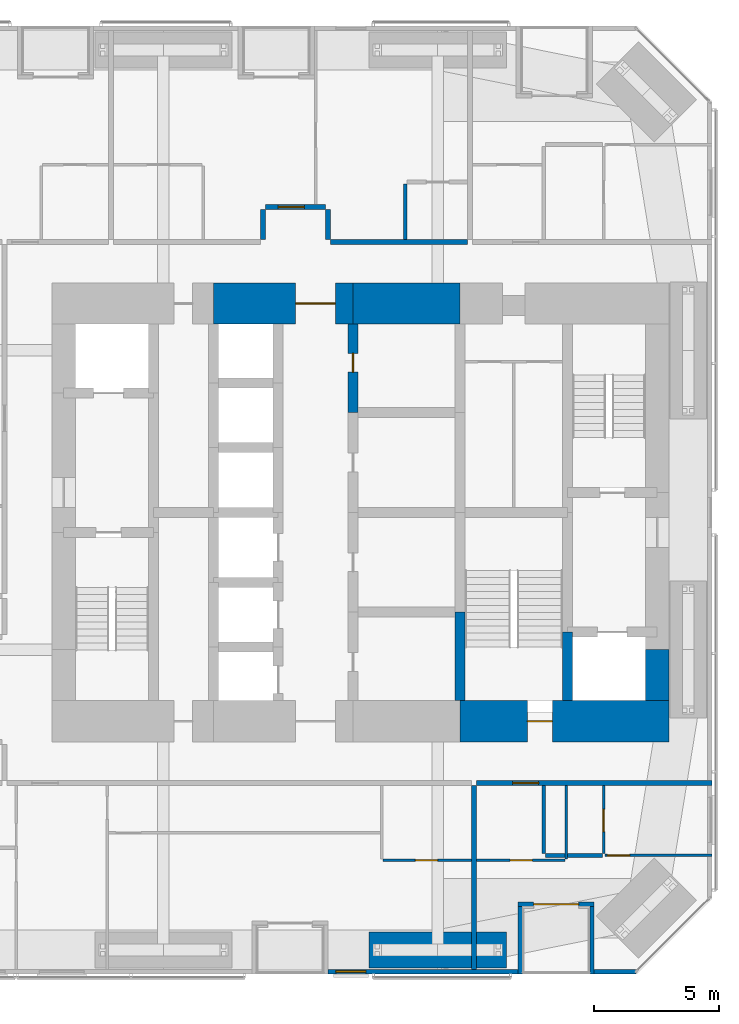
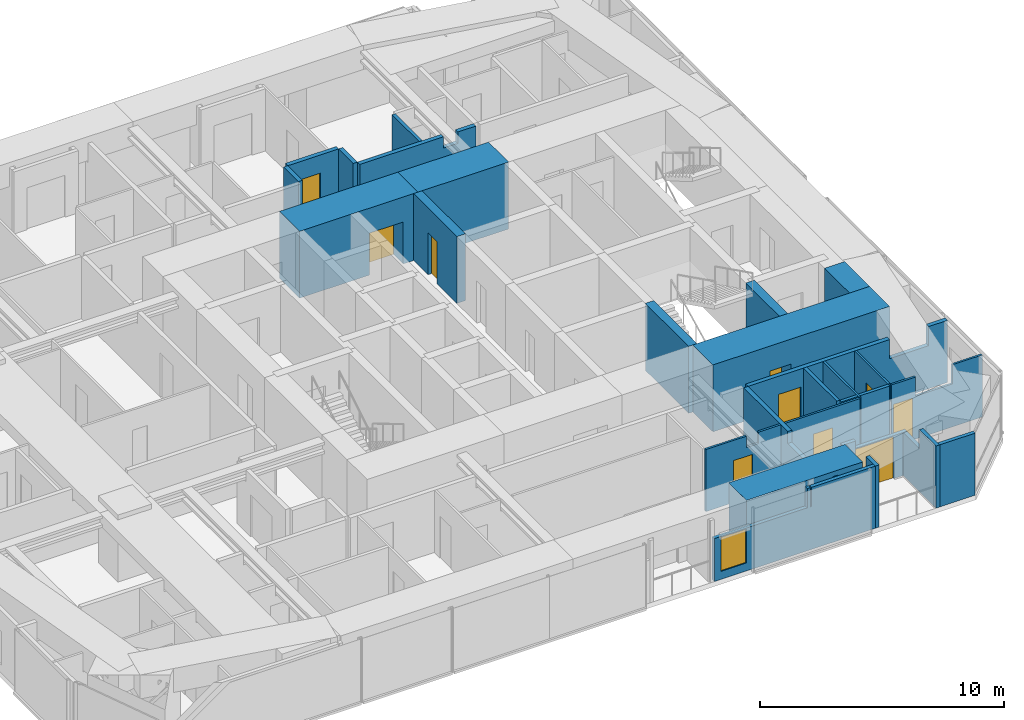
# One storey, part 20 of 24: 28 walls, 10 doors, 1 window, 11 openings.
"""IFC4 building model written with IfcOpenShell, lengths in metres."""

import ifcopenshell
import ifcopenshell.guid

model = None  # the IFC model being written
_history = None  # IfcOwnerHistory: only IFC2X3 demands one
_inside = {}  # id of a spatial element -> (the spatial element, [elements in it])
_under = {}  # id of a project, library or spatial element -> (it, [spatial elements below it])
_declared = {}  # id of a project -> (the project, [libraries it declares])
_typed = {}  # id of a type object -> (the type object, [elements of that type])
_made_of = {}  # id of a material, layer set ... -> (it, [elements and type objects made of it])


def new_model(schema):
    """Start an empty IFC model of exactly this schema.

    Asked for "IFC4X3", IfcOpenShell would pick the latest addendum, in which some entities
    have other attributes; the version numbers below select the first issue.
    IFC2X3 requires an IfcOwnerHistory on every rooted entity: one is made here for all.
    """
    global model, _history
    if schema == "IFC4X3":
        model = ifcopenshell.file(schema_version=(4, 3, 0, 0))
    else:
        model = ifcopenshell.file(schema=schema)
    _inside.clear()
    _under.clear()
    _declared.clear()
    _typed.clear()
    _made_of.clear()
    _history = None
    if model.schema == "IFC2X3":
        org = make("IfcOrganization", Name="unknown")
        user = make(
            "IfcPersonAndOrganization",
            ThePerson=make("IfcPerson", FamilyName="unknown"),
            TheOrganization=org,
        )
        app = make(
            "IfcApplication",
            ApplicationDeveloper=org,
            Version="unknown",
            ApplicationFullName="unknown",
            ApplicationIdentifier="unknown",
        )
        _history = make(
            "IfcOwnerHistory",
            OwningUser=user,
            OwningApplication=app,
            ChangeAction="ADDED",
            CreationDate=0,
        )
    return model


def make(cls, **values):
    """One entity of the class cls with the attributes given. An attribute that is None is left unset."""
    return model.create_entity(
        cls, **{name: value for name, value in values.items() if value is not None}
    )


def rooted(cls, **values):
    """An entity with a GlobalId (a new one), such as an element, a storey or a relation."""
    return make(cls, GlobalId=ifcopenshell.guid.new(), OwnerHistory=_history, **values)


def si_unit(unit_type, name, prefix=None):
    """IfcSIUnit, for example si_unit("LENGTHUNIT", "METRE", prefix="MILLI")."""
    return make("IfcSIUnit", UnitType=unit_type, Prefix=prefix, Name=name)


def assignment(units):
    """IfcUnitAssignment: the units of a project."""
    return None if units is None else make("IfcUnitAssignment", Units=units)


def point(xyz):
    """IfcCartesianPoint."""
    return None if xyz is None else make("IfcCartesianPoint", Coordinates=xyz)


def direction(xyz):
    """IfcDirection."""
    return None if xyz is None else make("IfcDirection", DirectionRatios=xyz)


def frame(location, z_axis=None, x_axis=None):
    """IfcAxis2Placement3D, a coordinate frame: its origin and axes. An axis left out is left unset."""
    return make(
        "IfcAxis2Placement3D",
        Location=point(location),
        Axis=direction(z_axis),
        RefDirection=direction(x_axis),
    )


def frame_2d(location, x_axis=None):
    """IfcAxis2Placement2D, a coordinate frame in the plane: its origin and x axis."""
    return make(
        "IfcAxis2Placement2D", Location=point(location), RefDirection=direction(x_axis)
    )


def origin():
    """The frame at (0, 0, 0) with its axes left unset."""
    return frame((0.0, 0.0, 0.0))


def place(relative_to, where):
    """IfcLocalPlacement: puts the frame where relative to a parent placement (None: the world)."""
    return make(
        "IfcLocalPlacement", PlacementRelTo=relative_to, RelativePlacement=where
    )


def context(
    kind, dimensions, precision=None, world=None, true_north=None, identifier=None
):
    """IfcGeometricRepresentationContext, for example the 3D "Model" context."""
    return make(
        "IfcGeometricRepresentationContext",
        ContextIdentifier=identifier,
        ContextType=kind,
        CoordinateSpaceDimension=dimensions,
        Precision=precision,
        WorldCoordinateSystem=world,
        TrueNorth=true_north,
    )


def subcontext(parent, identifier, kind, view, scale=None):
    """IfcGeometricRepresentationSubContext, for example "Body" below "Model"."""
    return make(
        "IfcGeometricRepresentationSubContext",
        ContextIdentifier=identifier,
        ContextType=kind,
        ParentContext=parent,
        TargetScale=scale,
        TargetView=view,
    )


def project(units=None, contexts=None):
    """IfcProject with its units and contexts."""
    return rooted(
        "IfcProject",
        Name="project",
        RepresentationContexts=contexts,
        UnitsInContext=assignment(units),
    )


def spatial(cls, under=None, at=None, **own):
    """A site, building, storey or space (cls), placed at a placement, below another one or the project."""
    s = rooted(cls, ObjectPlacement=at, **own)
    if under is not None:
        _under.setdefault(under.id(), (under, []))[1].append(s)
    return s


def polyline(points):
    """IfcPolyline through the points."""
    return make("IfcPolyline", Points=[point(p) for p in points])


def profile(cls, at=None, kind="AREA", **sizes):
    """A parametric profile (cls). Its sizes go by their IFC names, for example OverallWidth=200.0."""
    return make(cls, ProfileType=kind, Position=at, **sizes)


def rectangle(**sizes):
    """IfcRectangleProfileDef."""
    return profile("IfcRectangleProfileDef", **sizes)


def outline(outer, holes=None, kind="AREA"):
    """IfcArbitraryClosedProfileDef: a profile drawn as a closed curve; with holes, ...WithVoids."""
    if holes is None:
        return make("IfcArbitraryClosedProfileDef", ProfileType=kind, OuterCurve=outer)
    return make(
        "IfcArbitraryProfileDefWithVoids",
        ProfileType=kind,
        OuterCurve=outer,
        InnerCurves=holes,
    )


def extrude(swept, where, along, depth):
    """IfcExtrudedAreaSolid: the profile swept, set in the frame where, extruded along a direction by depth."""
    return make(
        "IfcExtrudedAreaSolid",
        SweptArea=swept,
        Position=where,
        ExtrudedDirection=direction(along),
        Depth=depth,
    )


def shape(context_of_items, identifier, shape_type, items):
    """IfcShapeRepresentation: the items that make up one representation, for example the "Body"."""
    return make(
        "IfcShapeRepresentation",
        ContextOfItems=context_of_items,
        RepresentationIdentifier=identifier,
        RepresentationType=shape_type,
        Items=items,
    )


def material(Name=None, Category=None):
    """IfcMaterial."""
    return make("IfcMaterial", Name=Name, Category=Category)


def layer(
    of_material, thickness, ventilated=None, Name=None, Category=None, Priority=None
):
    """IfcMaterialLayer: one layer of a wall or slab, of a material (None: an air gap)."""
    return make(
        "IfcMaterialLayer",
        Material=of_material,
        LayerThickness=thickness,
        IsVentilated=ventilated,
        Name=Name,
        Category=Category,
        Priority=Priority,
    )


def layer_set(layers, Name=None):
    """IfcMaterialLayerSet."""
    return make("IfcMaterialLayerSet", MaterialLayers=layers, LayerSetName=Name)


def constituent(of_material, Name=None, Category=None, fraction=None):
    """IfcMaterialConstituent: one of the materials an element consists of."""
    return make(
        "IfcMaterialConstituent",
        Name=Name,
        Material=of_material,
        Fraction=fraction,
        Category=Category,
    )


def constituent_set(constituents=None, Name=None):
    """IfcMaterialConstituentSet."""
    return make(
        "IfcMaterialConstituentSet", Name=Name, MaterialConstituents=constituents
    )


def made_of(thing, what):
    """Note that an element or type object is made of a material, layer set ...; save() writes the relation."""
    if what is not None:
        _made_of.setdefault(what.id(), (what, []))[1].append(thing)
    return thing


def type_object(cls, material=None, **own):
    """A type object (cls), such as IfcWallType, which elements share."""
    return made_of(rooted(cls, **own), material)


def element(
    cls,
    number,
    at=None,
    inside=None,
    cuts=None,
    type_object=None,
    material=None,
    context=None,
    identifier="Body",
    shape_type=None,
    held_by="IfcProductDefinitionShape",
    body=None,
    shapes=None,
    **own,
):
    """One element of the class cls, such as IfcWall. Its Tag is "e" and its number.

    at: its placement. inside: the storey or other place that contains it. cuts: it is an
    opening in that element (IfcRelVoidsElement). A single representation is given by context,
    identifier, shape_type and body (its items); several are given by shapes. held_by: the class
    of the entity that holds the representations. save() writes the other relations.
    """
    e = rooted(cls, Tag="e%d" % number, ObjectPlacement=at, **own)
    if body is not None:
        shapes = [shape(context, identifier, shape_type, body)]
    if shapes is not None:
        e.Representation = make(held_by, Representations=shapes)
    if inside is not None:
        _inside.setdefault(inside.id(), (inside, []))[1].append(e)
    if cuts is not None:
        rooted(
            "IfcRelVoidsElement", RelatingBuildingElement=cuts, RelatedOpeningElement=e
        )
    if type_object is not None:
        _typed.setdefault(type_object.id(), (type_object, []))[1].append(e)
    return made_of(e, material)


def fill(opening, filler):
    """IfcRelFillsElement: the door or window that sits in an opening."""
    return rooted(
        "IfcRelFillsElement",
        RelatingOpeningElement=opening,
        RelatedBuildingElement=filler,
    )


def aggregate(whole, parts):
    """IfcRelAggregates: a whole, such as a stair, and the parts it consists of."""
    return rooted("IfcRelAggregates", RelatingObject=whole, RelatedObjects=parts)


def save(model, path):
    """Write the relations noted so far, then the file.

    IfcRelAggregates (storeys below a building ...), IfcRelContainedInSpatialStructure (elements
    in a storey), IfcRelDefinesByType, IfcRelAssociatesMaterial and IfcRelDeclares: one each for
    every whole, place, type object, material and project.
    """
    for whole, parts in _under.values():
        aggregate(whole, parts)
    for where, things in _inside.values():
        rooted(
            "IfcRelContainedInSpatialStructure",
            RelatedElements=things,
            RelatingStructure=where,
        )
    for kind, things in _typed.values():
        rooted("IfcRelDefinesByType", RelatedObjects=things, RelatingType=kind)
    for what, things in _made_of.values():
        rooted("IfcRelAssociatesMaterial", RelatedObjects=things, RelatingMaterial=what)
    for by, libraries in _declared.values():
        rooted("IfcRelDeclares", RelatingContext=by, RelatedDefinitions=libraries)
    model.write(path)


model = new_model("IFC4")

# Units and contexts
model_context = context("Model", 3, precision=1e-05, world=origin(), true_north=direction((0.0, 1.0)))
body_context = subcontext(model_context, "Body", "Model", "MODEL_VIEW")
ifc_project = project(units=[si_unit("LENGTHUNIT", "METRE"), si_unit("AREAUNIT", "SQUARE_METRE"), si_unit("VOLUMEUNIT", "CUBIC_METRE"), si_unit("PLANEANGLEUNIT", "RADIAN"), si_unit("MASSUNIT", "GRAM", prefix="KILO")], contexts=[model_context])

# Site, building, storey
site_placement = place(None, origin())
site = spatial("IfcSite", under=ifc_project, at=site_placement, CompositionType="ELEMENT")
building_placement = place(site_placement, origin())
building = spatial("IfcBuilding", under=site, at=building_placement, Name="Jalousie Tower", CompositionType="ELEMENT")
storey_placement = place(building_placement, frame((0.0, 0.0, 47.800048828125)))
storey = spatial("IfcBuildingStorey", under=building, at=storey_placement, Name="L12", CompositionType="ELEMENT", Elevation=47.800048828125)

# Walls
ifc_material_1 = material(Name="Concrete block ASTM C90", Category="concrete")
ifc_constituent_1 = constituent(ifc_material_1, Name="Body")
ifc_material_2 = material(Name="Render")
ifc_constituent_2 = constituent(ifc_material_2, Name="Finish")
ifc_constituent_set_1 = constituent_set(constituents=[ifc_constituent_1, ifc_constituent_2])
wall_type_1 = type_object("IfcWallType", Name="BATHROOM WALL 150", PredefinedType="PLUMBINGWALL", material=ifc_constituent_set_1)
wall_1_placement = place(storey_placement, frame((39.324951171875, 4.74658203125, 0.0), z_axis=(0.0, 0.0, 1.0), x_axis=(1.0, 0.0, 0.0)))
element("IfcWall", 1, at=wall_1_placement, inside=storey, type_object=wall_type_1, Name="Bathroom Wall 150 L12", PredefinedType="PLUMBINGWALL", context=body_context, shape_type="SweptSolid", body=[
    extrude(rectangle(XDim=2.275146484375, YDim=0.14990234375, at=frame_2d((1.1376953125, 0.0))), origin(), (0.0, 0.0, 1.0), 3.10986328125),
])
wall_2_placement = place(storey_placement, frame((39.25, 4.82177734375, 0.0), z_axis=(0.0, 0.0, 1.0), x_axis=(0.0, 1.0, 0.0)))
element("IfcWall", 2, at=wall_2_placement, inside=storey, type_object=wall_type_1, Name="Bathroom Wall 150 L12", PredefinedType="PLUMBINGWALL", context=body_context, shape_type="SweptSolid", body=[
    extrude(rectangle(XDim=2.728271484375, YDim=0.14990234375, at=frame_2d((1.3642578125, 0.0))), origin(), (0.0, 0.0, 1.0), 3.10986328125),
])
wall_3_placement = place(storey_placement, frame((33.699951171875, 31.675048828125, 0.0), z_axis=(0.0, 0.0, 1.0), x_axis=(0.0, -1.0, 0.0)))
element("IfcWall", 3, at=wall_3_placement, inside=storey, type_object=wall_type_1, Name="Bathroom Wall 150 L12", PredefinedType="PLUMBINGWALL", context=body_context, shape_type="SweptSolid", body=[
    extrude(rectangle(XDim=2.22509765625, YDim=0.14990234375, at=frame_2d((1.112548828125, 0.0))), origin(), (0.0, 0.0, 1.0), 3.10986328125),
])

# Wall, opening, door
ifc_material_3 = material(Name="Concrete f'c 120 MPa", Category="concrete")
ifc_layer_1 = layer(ifc_material_3, 1.64990234375)
ifc_layer_set_1 = layer_set([ifc_layer_1], Name="Concrete f'c 120 MPa")
wall_type_2 = type_object("IfcWallType", Name="CORE WALL 1650", PredefinedType="SHEAR", material=ifc_layer_set_1)
wall_4_placement = place(storey_placement, frame((35.89990234375, 10.125, 0.0), z_axis=(0.0, 0.0, 1.0), x_axis=(1.0, 0.0, 0.0)))
wall_4 = element("IfcWall", 4, at=wall_4_placement, inside=storey, type_object=wall_type_2, Name="Core wall SD L12", PredefinedType="SHEAR", context=body_context, shape_type="SweptSolid", body=[
    extrude(rectangle(XDim=8.375, YDim=1.64990234375, at=frame_2d((4.1875, 0.0))), origin(), (0.0, 0.0, 1.0), 3.349853515625),
])
opening_1_placement = place(wall_4_placement, frame((2.699951171875, 0.0, 0.0)))
opening_1 = element("IfcOpeningElement", 5, at=opening_1_placement, cuts=wall_4, Name="Opening D10", PredefinedType="OPENING", context=body_context, shape_type="SweptSolid", body=[
    extrude(rectangle(XDim=1.0, YDim=2.10009765625, at=frame_2d((0.5, 1.050048828125))), frame((0.0, 0.8349609375, 0.0), z_axis=(0.0, -1.0, 0.0), x_axis=(1.0, 0.0, 0.0)), (0.0, 0.0, 1.0), 1.669921875),
])
ifc_material_4 = material(Name="Steel fire door", Category="steel")
door_type_1 = type_object("IfcDoorType", Name="STAIR DOOR 1000", OperationType="SINGLE_SWING_LEFT", PredefinedType="DOOR", material=ifc_material_4)
door_1_placement = place(opening_1_placement, origin())
door_1 = element("IfcDoor", 6, at=door_1_placement, inside=storey, type_object=door_type_1, Name="Exit stair C door", OperationType="SINGLE_SWING_RIGHT", OverallHeight=2.10009765625, OverallWidth=1.0, PredefinedType="DOOR", context=body_context, shape_type="SweptSolid", body=[
    extrude(rectangle(XDim=1.0, YDim=2.10009765625, at=frame_2d((0.5, 1.050048828125))), frame((0.0, 0.02490234375, 0.0), z_axis=(0.0, -1.0, 0.0), x_axis=(1.0, 0.0, 0.0)), (0.0, 0.0, 1.0), 0.050048828125),
])
fill(opening_1, door_1)

# Wall
wall_5_placement = place(storey_placement, frame((35.89990234375, 26.875, 0.0), z_axis=(0.0, 0.0, 1.0), x_axis=(-1.0, 0.0, 0.0)))
element("IfcWall", 7, at=wall_5_placement, inside=storey, type_object=wall_type_2, Name="Core wall NB L12", PredefinedType="SHEAR", context=body_context, shape_type="SweptSolid", body=[
    extrude(rectangle(XDim=4.2998046875, YDim=1.64990234375, at=frame_2d((2.14990234375, 0.0))), origin(), (0.0, 0.0, 1.0), 3.349853515625),
])

# Wall, opening, door
wall_6_placement = place(storey_placement, frame((31.60009765625, 26.875, 0.0), z_axis=(0.0, 0.0, 1.0), x_axis=(-1.0, 0.0, 0.0)))
wall_6 = element("IfcWall", 8, at=wall_6_placement, inside=storey, type_object=wall_type_2, Name="Core wall NC L12", PredefinedType="SHEAR", context=body_context, shape_type="SweptSolid", body=[
    extrude(rectangle(XDim=5.60009765625, YDim=1.64990234375, at=frame_2d((2.800048828125, 0.0))), origin(), (0.0, 0.0, 1.0), 3.349853515625),
])
opening_2_placement = place(wall_6_placement, frame((0.699951171875, 0.0, 0.0)))
opening_2 = element("IfcOpeningElement", 9, at=opening_2_placement, cuts=wall_6, Name="Opening D15", PredefinedType="OPENING", context=body_context, shape_type="SweptSolid", body=[
    extrude(rectangle(XDim=1.60009765625, YDim=2.10009765625, at=frame_2d((0.800048828125, 1.050048828125))), frame((0.0, 0.8349609375, 0.0), z_axis=(0.0, -1.0, 0.0), x_axis=(1.0, 0.0, 0.0)), (0.0, 0.0, 1.0), 1.669921875),
])
ifc_material_5 = material(Name="Steel fire door", Category="steel")
door_type_2 = type_object("IfcDoorType", Name="LIFT LOBBY DOOR 1600", OperationType="DOUBLE_DOOR_SINGLE_SWING", PredefinedType="DOOR", material=ifc_material_5)
door_2_placement = place(opening_2_placement, origin())
door_2 = element("IfcDoor", 10, at=door_2_placement, inside=storey, type_object=door_type_2, Name="Lift lobby north door", OperationType="DOUBLE_DOOR_SINGLE_SWING", OverallHeight=2.10009765625, OverallWidth=1.60009765625, PredefinedType="DOOR", context=body_context, shape_type="SweptSolid", body=[
    extrude(rectangle(XDim=1.60009765625, YDim=2.10009765625, at=frame_2d((0.800048828125, 1.050048828125))), frame((0.0, 0.02490234375, 0.0), z_axis=(0.0, -1.0, 0.0), x_axis=(1.0, 0.0, 0.0)), (0.0, 0.0, 1.0), 0.050048828125),
])
fill(opening_2, door_2)

ifc_material_6 = material(Name="Concrete f'c 120 MPa", Category="concrete")
ifc_layer_2 = layer(ifc_material_6, 0.39990234375)
ifc_layer_set_2 = layer_set([ifc_layer_2], Name="Concrete f'c 120 MPa")
wall_type_3 = type_object("IfcWallType", Name="CORE WALL 400", PredefinedType="SHEAR", material=ifc_layer_set_2)
wall_7_placement = place(storey_placement, frame((31.60009765625, 22.5, 0.0), z_axis=(0.0, 0.0, 1.0), x_axis=(0.0, 1.0, 0.0)))
wall_7 = element("IfcWall", 11, at=wall_7_placement, inside=storey, type_object=wall_type_3, Name="Core wall X31.6D L12", PredefinedType="SHEAR", context=body_context, shape_type="SweptSolid", body=[
    extrude(rectangle(XDim=3.550048828125, YDim=0.39990234375, at=frame_2d((1.77490234375, 0.0))), origin(), (0.0, 0.0, 1.0), 3.349853515625),
])
opening_3_placement = place(wall_7_placement, frame((1.625, 0.0, 0.0)))
opening_3 = element("IfcOpeningElement", 12, at=opening_3_placement, cuts=wall_7, Name="Opening D16", PredefinedType="OPENING", context=body_context, shape_type="SweptSolid", body=[
    extrude(rectangle(XDim=0.75, YDim=2.10009765625, at=frame_2d((0.375, 1.050048828125))), frame((0.0, 0.2099609375, 0.0), z_axis=(0.0, -1.0, 0.0), x_axis=(1.0, 0.0, 0.0)), (0.0, 0.0, 1.0), 0.419921875),
])
ifc_material_7 = material(Name="Steel fire door", Category="steel")
door_type_3 = type_object("IfcDoorType", Name="RISER DOOR 750", OperationType="SINGLE_SWING_LEFT", PredefinedType="DOOR", material=ifc_material_7)
door_3_placement = place(opening_3_placement, frame((0.75, 0.0, 0.0), z_axis=(0.0, 0.0, 1.0), x_axis=(-1.0, 0.0, 0.0)))
door_3 = element("IfcDoor", 13, at=door_3_placement, inside=storey, type_object=door_type_3, Name="Water Services Room door", OperationType="SINGLE_SWING_LEFT", OverallHeight=2.10009765625, OverallWidth=0.75, PredefinedType="DOOR", context=body_context, shape_type="SweptSolid", body=[
    extrude(rectangle(XDim=0.75, YDim=2.10009765625, at=frame_2d((0.375, 1.050048828125))), frame((0.0, 0.02490234375, 0.0), z_axis=(0.0, -1.0, 0.0), x_axis=(1.0, 0.0, 0.0)), (0.0, 0.0, 1.0), 0.050048828125),
])
fill(opening_3, door_3)

# Walls
wall_8_placement = place(storey_placement, frame((35.89990234375, 10.949951171875, 0.0), z_axis=(0.0, 0.0, 1.0), x_axis=(0.0, 1.0, 0.0)))
element("IfcWall", 14, at=wall_8_placement, inside=storey, type_object=wall_type_3, Name="Core wall X35.9A L12", PredefinedType="SHEAR", context=body_context, shape_type="SweptSolid", body=[
    extrude(rectangle(XDim=3.550048828125, YDim=0.39990234375, at=frame_2d((1.77490234375, 0.0))), origin(), (0.0, 0.0, 1.0), 3.349853515625),
])
wall_9_placement = place(storey_placement, frame((40.199951171875, 10.949951171875, 0.0), z_axis=(0.0, 0.0, 1.0), x_axis=(0.0, 1.0, 0.0)))
element("IfcWall", 15, at=wall_9_placement, inside=storey, type_object=wall_type_3, Name="Core wall X40.2A L12", PredefinedType="SHEAR", context=body_context, shape_type="SweptSolid", body=[
    extrude(rectangle(XDim=2.75, YDim=0.39990234375, at=frame_2d((1.375, 0.0))), origin(), (0.0, 0.0, 1.0), 3.349853515625),
])
ifc_material_8 = material(Name="Concrete f'c 120 MPa", Category="concrete")
ifc_layer_3 = layer(ifc_material_8, 0.949951171875)
ifc_layer_set_3 = layer_set([ifc_layer_3], Name="Concrete f'c 120 MPa")
wall_type_4 = type_object("IfcWallType", Name="CORE WALL 950", PredefinedType="SHEAR", material=ifc_layer_set_3)
wall_10_placement = place(storey_placement, frame((43.800048828125, 10.949951171875, 0.0), z_axis=(0.0, 0.0, 1.0), x_axis=(0.0, 1.0, 0.0)))
element("IfcWall", 16, at=wall_10_placement, inside=storey, type_object=wall_type_4, Name="Core wall EA L12", PredefinedType="SHEAR", context=body_context, shape_type="SweptSolid", body=[
    extrude(rectangle(XDim=2.050048828125, YDim=0.949951171875, at=frame_2d((1.02490234375, 0.0))), origin(), (0.0, 0.0, 1.0), 3.349853515625),
])

# Wall, opening, door
ifc_material_9 = material(Name="Concrete block ASTM C90", Category="concrete")
ifc_constituent_3 = constituent(ifc_material_9, Name="Body")
ifc_material_10 = material(Name="Render")
ifc_constituent_4 = constituent(ifc_material_10, Name="Finish")
ifc_constituent_set_2 = constituent_set(constituents=[ifc_constituent_3, ifc_constituent_4])
wall_type_5 = type_object("IfcWallType", Name="CORRIDOR WALL 200", PredefinedType="PARTITIONING", material=ifc_constituent_set_2)
wall_11_placement = place(storey_placement, frame((36.550048828125, 7.64990234375, 0.0), z_axis=(0.0, 0.0, 1.0), x_axis=(1.0, 0.0, 0.0)))
wall_11 = element("IfcWall", 17, at=wall_11_placement, inside=storey, type_object=wall_type_5, Name="Corridor Wall 200 L12", PredefinedType="PARTITIONING", context=body_context, shape_type="SweptSolid", body=[
    extrude(outline(polyline([(0.0, 0.0), (9.449951171875, 0.0), (9.449951171875, 3.10986328125), (8.55419921875, 3.10986328125), (8.55419921875, 2.14990234375), (6.71044921875, 2.14990234375), (6.71044921875, 3.10986328125), (0.0, 3.10986328125), (0.0, 0.0)])), frame((0.0, 0.10009765625, 0.0), z_axis=(0.0, -1.0, 0.0), x_axis=(1.0, 0.0, 0.0)), (0.0, 0.0, 1.0), 0.199951171875),
])
opening_4_placement = place(wall_11_placement, frame((1.449951171875, 0.0, 0.0)))
opening_4 = element("IfcOpeningElement", 18, at=opening_4_placement, cuts=wall_11, Name="Opening D1", PredefinedType="OPENING", context=body_context, shape_type="SweptSolid", body=[
    extrude(rectangle(XDim=1.050048828125, YDim=2.199951171875, at=frame_2d((0.52490234375, 1.10009765625))), frame((0.0, 0.10986328125, 0.0), z_axis=(0.0, -1.0, 0.0), x_axis=(1.0, 0.0, 0.0)), (0.0, 0.0, 1.0), 0.219970703125),
])
ifc_material_11 = material(Name="Timber fire door", Category="wood")
door_type_4 = type_object("IfcDoorType", Name="APARTMENT ENTRANCE DOOR 1050", OperationType="SINGLE_SWING_LEFT", PredefinedType="DOOR", material=ifc_material_11)
door_4_placement = place(opening_4_placement, frame((1.050048828125, 0.0, 0.0), z_axis=(0.0, 0.0, 1.0), x_axis=(-1.0, 0.0, 0.0)))
door_4 = element("IfcDoor", 19, at=door_4_placement, inside=storey, type_object=door_type_4, Name="Apartment 1202 entrance", OperationType="SINGLE_SWING_LEFT", OverallHeight=2.199951171875, OverallWidth=1.050048828125, PredefinedType="DOOR", context=body_context, shape_type="SweptSolid", body=[
    extrude(rectangle(XDim=1.050048828125, YDim=2.199951171875, at=frame_2d((0.52490234375, 1.10009765625))), frame((0.0, 0.02490234375, 0.0), z_axis=(0.0, -1.0, 0.0), x_axis=(1.0, 0.0, 0.0)), (0.0, 0.0, 1.0), 0.050048828125),
])
fill(opening_4, door_4)

# Wall
wall_12_placement = place(storey_placement, frame((30.699951171875, 29.35009765625, 0.0), z_axis=(0.0, 0.0, 1.0), x_axis=(1.0, 0.0, 0.0)))
element("IfcWall", 20, at=wall_12_placement, inside=storey, type_object=wall_type_5, Name="Corridor Wall 200 L12", PredefinedType="PARTITIONING", context=body_context, shape_type="SweptSolid", body=[
    extrude(outline(polyline([(0.0, 0.0), (5.5, 0.0), (5.5, 3.10986328125), (4.63720703125, 3.10986328125), (4.63720703125, 2.541015625), (3.962646484375, 2.541015625), (3.962646484375, 3.10986328125), (0.0, 3.10986328125), (0.0, 0.0)])), frame((0.0, 0.10009765625, 0.0), z_axis=(0.0, -1.0, 0.0), x_axis=(1.0, 0.0, 0.0)), (0.0, 0.0, 1.0), 0.199951171875),
])

# Wall, opening, door
wall_13_placement = place(storey_placement, frame((28.10009765625, 30.75, 0.0), z_axis=(0.0, 0.0, 1.0), x_axis=(1.0, 0.0, 0.0)))
wall_13 = element("IfcWall", 21, at=wall_13_placement, inside=storey, type_object=wall_type_5, Name="Corridor Wall 200 L12", PredefinedType="PARTITIONING", context=body_context, shape_type="SweptSolid", body=[
    extrude(rectangle(XDim=2.39990234375, YDim=0.199951171875, at=frame_2d((1.199951171875, 0.0))), origin(), (0.0, 0.0, 1.0), 3.10986328125),
])
opening_5_placement = place(wall_13_placement, frame((0.5, 0.0, 0.0)))
opening_5 = element("IfcOpeningElement", 22, at=opening_5_placement, cuts=wall_13, Name="Opening D1", PredefinedType="OPENING", context=body_context, shape_type="SweptSolid", body=[
    extrude(rectangle(XDim=1.050048828125, YDim=2.199951171875, at=frame_2d((0.52490234375, 1.10009765625))), frame((0.0, 0.10986328125, 0.0), z_axis=(0.0, -1.0, 0.0), x_axis=(1.0, 0.0, 0.0)), (0.0, 0.0, 1.0), 0.219970703125),
])
door_5_placement = place(opening_5_placement, origin())
door_5 = element("IfcDoor", 23, at=door_5_placement, inside=storey, type_object=door_type_4, Name="Apartment 1204 entrance", OperationType="SINGLE_SWING_RIGHT", OverallHeight=2.199951171875, OverallWidth=1.050048828125, PredefinedType="DOOR", context=body_context, shape_type="SweptSolid", body=[
    extrude(rectangle(XDim=1.050048828125, YDim=2.199951171875, at=frame_2d((0.52490234375, 1.10009765625))), frame((0.0, 0.02490234375, 0.0), z_axis=(0.0, -1.0, 0.0), x_axis=(1.0, 0.0, 0.0)), (0.0, 0.0, 1.0), 0.050048828125),
])
fill(opening_5, door_5)

# Walls
for number, where, z_axis, x_axis, name in (
    (24, (28.0, 29.449951171875, 0.0), (0.0, 0.0, 1.0), (0.0, 1.0, 0.0), "Corridor Wall 200 L12"),
    (25, (30.60009765625, 29.449951171875, 0.0), (0.0, 0.0, 1.0), (0.0, 1.0, 0.0), "Corridor Wall 200 L12"),
):
    element("IfcWall", number, at=place(storey_placement, frame(where, z_axis=z_axis, x_axis=x_axis)), inside=storey, type_object=wall_type_5, Name=name, PredefinedType="PARTITIONING", context=body_context, shape_type="SweptSolid", body=[
        extrude(rectangle(XDim=1.199951171875, YDim=0.199951171875, at=frame_2d((0.60009765625, 0.0))), origin(), (0.0, 0.0, 1.0), 3.10986328125),
    ])

# Wall, opening, window
ifc_material_12 = material(Name="Concrete f'c 40 MPa", Category="concrete")
ifc_constituent_5 = constituent(ifc_material_12, Name="Body")
ifc_material_13 = material(Name="Render, pastel coral")
ifc_constituent_6 = constituent(ifc_material_13, Name="Finish")
ifc_constituent_set_3 = constituent_set(constituents=[ifc_constituent_5, ifc_constituent_6])
wall_type_6 = type_object("IfcWallType", Name="EXTERNAL WALL 175 CORAL RENDER", PredefinedType="SOLIDWALL", material=ifc_constituent_set_3)
wall_14_placement = place(storey_placement, frame((30.60009765625, 0.08740234375, 0.0), z_axis=(0.0, 0.0, 1.0), x_axis=(1.0, 0.0, 0.0)))
wall_14 = element("IfcWall", 26, at=wall_14_placement, inside=storey, type_object=wall_type_6, Name="External Wall 175 Coral Render L12", PredefinedType="SOLIDWALL", context=body_context, shape_type="SweptSolid", body=[
    extrude(outline(polyline([(0.0, 0.0), (7.625, 0.0), (7.625, 3.10986328125), (4.60400390625, 3.10986328125), (4.60400390625, 2.14990234375), (4.5556640625, 2.14990234375), (4.5556640625, 3.10986328125), (4.39990234375, 3.10986328125), (4.39990234375, 2.14990234375), (0.0, 2.14990234375), (0.0, 0.0)])), frame((0.0, 0.08740234375, 0.0), z_axis=(0.0, -1.0, 0.0), x_axis=(1.0, 0.0, 0.0)), (0.0, 0.0, 1.0), 0.175048828125),
])
opening_6_placement = place(wall_14_placement, frame((0.3173828125, 0.0, 0.39990234375)))
opening_6 = element("IfcOpeningElement", 27, at=opening_6_placement, cuts=wall_14, Name="Opening W-COR170", PredefinedType="OPENING", context=body_context, shape_type="SweptSolid", body=[
    extrude(rectangle(XDim=1.199951171875, YDim=1.699951171875, at=frame_2d((0.60009765625, 0.85009765625))), frame((0.0, 0.097412109375, 0.0), z_axis=(0.0, -1.0, 0.0), x_axis=(1.0, 0.0, 0.0)), (0.0, 0.0, 1.0), 0.195068359375),
])
ifc_material_14 = material(Name="Aluminium frame, impact-rated glazing", Category="aluminium")
window_type = type_object("IfcWindowType", Name="WINDOW COR 1200x1700", PartitioningType="SINGLE_PANEL", PredefinedType="WINDOW", material=ifc_material_14)
window_placement = place(opening_6_placement, origin())
window = element("IfcWindow", 28, at=window_placement, inside=storey, type_object=window_type, Name="Apartment 1201 living and dining room window", OverallHeight=1.699951171875, OverallWidth=1.199951171875, PartitioningType="SINGLE_PANEL", PredefinedType="WINDOW", context=body_context, shape_type="SweptSolid", body=[
    extrude(rectangle(XDim=1.199951171875, YDim=1.699951171875, at=frame_2d((0.60009765625, 0.85009765625))), frame((0.0, 0.030029296875, 0.0), z_axis=(0.0, -1.0, 0.0), x_axis=(1.0, 0.0, 0.0)), (0.0, 0.0, 1.0), 0.06005859375),
])
fill(opening_6, window)

# Walls
wall_15_placement = place(storey_placement, frame((41.27490234375, 0.08740234375, 0.0), z_axis=(0.0, 0.0, 1.0), x_axis=(1.0, 0.0, 0.0)))
element("IfcWall", 29, at=wall_15_placement, inside=storey, type_object=wall_type_6, Name="External Wall 175 Coral Render L12", PredefinedType="SOLIDWALL", context=body_context, shape_type="SweptSolid", body=[
    extrude(rectangle(XDim=1.673828125, YDim=0.175048828125, at=frame_2d((0.8369140625, 0.0))), origin(), (0.0, 0.0, 1.0), 3.10986328125),
])
wall_16_placement = place(storey_placement, frame((38.22509765625, 2.78759765625, 0.0), z_axis=(0.0, 0.0, 1.0), x_axis=(1.0, 0.0, 0.0)))
element("IfcWall", 30, at=wall_16_placement, inside=storey, type_object=wall_type_6, Name="External Wall 175 Coral Render L12-A", PredefinedType="SOLIDWALL", context=body_context, shape_type="SweptSolid", body=[
    extrude(rectangle(XDim=0.625, YDim=0.175048828125, at=frame_2d((0.3125, 0.0))), origin(), (0.0, 0.0, 1.0), 2.510009765625),
])

# Wall, opening, door
wall_17_placement = place(storey_placement, frame((38.85009765625, 2.78759765625, 0.0), z_axis=(0.0, 0.0, 1.0), x_axis=(1.0, 0.0, 0.0)))
wall_17 = element("IfcWall", 31, at=wall_17_placement, inside=storey, type_object=wall_type_6, Name="External Wall 175 Coral Render L12-B", PredefinedType="SOLIDWALL", context=body_context, shape_type="SweptSolid", body=[
    extrude(rectangle(XDim=2.4248046875, YDim=0.175048828125, at=frame_2d((1.21240234375, 0.0))), origin(), (0.0, 0.0, 1.0), 2.14990234375),
])
opening_7_placement = place(wall_17_placement, origin())
opening_7 = element("IfcOpeningElement", 32, at=opening_7_placement, cuts=wall_17, Name="Opening D-BAL21", PredefinedType="OPENING", context=body_context, shape_type="SweptSolid", body=[
    extrude(rectangle(XDim=1.800048828125, YDim=2.10009765625, at=frame_2d((0.89990234375, 1.050048828125))), frame((0.0, 0.097412109375, 0.0), z_axis=(0.0, -1.0, 0.0), x_axis=(1.0, 0.0, 0.0)), (0.0, 0.0, 1.0), 0.195068359375),
])
ifc_material_15 = material(Name="Aluminium frame, impact-rated glazing", Category="aluminium")
door_type_5 = type_object("IfcDoorType", Name="BALCONY DOOR 1800x2100", OperationType="SLIDING_TO_LEFT", PredefinedType="DOOR", material=ifc_material_15)
door_6_placement = place(opening_7_placement, origin())
door_6 = element("IfcDoor", 33, at=door_6_placement, inside=storey, type_object=door_type_5, Name="Apartment 1202 living and dining room loggia door", OperationType="SLIDING_TO_LEFT", OverallHeight=2.10009765625, OverallWidth=1.800048828125, PredefinedType="DOOR", context=body_context, shape_type="SweptSolid", body=[
    extrude(rectangle(XDim=1.800048828125, YDim=2.10009765625, at=frame_2d((0.89990234375, 1.050048828125))), frame((0.0, 0.02490234375, 0.0), z_axis=(0.0, -1.0, 0.0), x_axis=(1.0, 0.0, 0.0)), (0.0, 0.0, 1.0), 0.050048828125),
])
fill(opening_7, door_6)

# Walls
wall_18_placement = place(storey_placement, frame((38.3125, 0.0, 0.0), z_axis=(0.0, 0.0, 1.0), x_axis=(0.0, 1.0, 0.0)))
element("IfcWall", 34, at=wall_18_placement, inside=storey, type_object=wall_type_6, Name="External Wall 175 Coral Render L12", PredefinedType="SOLIDWALL", context=body_context, shape_type="SweptSolid", body=[
    extrude(outline(polyline([(0.0, 0.0), (2.699951171875, 0.0), (2.699951171875, 2.510009765625), (2.44921875, 2.510009765625), (2.44921875, 2.14990234375), (0.781982421875, 2.14990234375), (0.781982421875, 3.10986328125), (0.0, 3.10986328125), (0.0, 0.0)])), frame((0.0, 0.08740234375, 0.0), z_axis=(0.0, -1.0, 0.0), x_axis=(1.0, 0.0, 0.0)), (0.0, 0.0, 1.0), 0.175048828125),
])
wall_19_placement = place(storey_placement, frame((41.1875, 0.0, 0.0), z_axis=(0.0, 0.0, 1.0), x_axis=(0.0, 1.0, 0.0)))
element("IfcWall", 35, at=wall_19_placement, inside=storey, type_object=wall_type_6, Name="External Wall 175 Coral Render L12", PredefinedType="SOLIDWALL", context=body_context, shape_type="SweptSolid", body=[
    extrude(outline(polyline([(0.0, 0.0), (2.699951171875, 0.0), (2.699951171875, 2.14990234375), (1.359619140625, 2.14990234375), (1.359619140625, 3.10986328125), (0.0, 3.10986328125), (0.0, 0.0)])), frame((0.0, 0.08740234375, 0.0), z_axis=(0.0, -1.0, 0.0), x_axis=(1.0, 0.0, 0.0)), (0.0, 0.0, 1.0), 0.175048828125),
])

# Wall, opening, door
ifc_material_16 = material(Name="Gypsum board", Category="gypsum")
ifc_constituent_7 = constituent(ifc_material_16, Name="Body")
ifc_material_17 = material(Name="Light-gauge steel studs ASTM A653 SS Grade 33", Category="steel")
ifc_constituent_8 = constituent(ifc_material_17, Name="Framing")
ifc_constituent_set_4 = constituent_set(constituents=[ifc_constituent_7, ifc_constituent_8])
wall_type_7 = type_object("IfcWallType", Name="PARTITION 100", PredefinedType="PARTITIONING", material=ifc_constituent_set_4)
wall_20_placement = place(storey_placement, frame((32.800048828125, 4.550048828125, 0.0), z_axis=(0.0, 0.0, 1.0), x_axis=(1.0, 0.0, 0.0)))
wall_20 = element("IfcWall", 36, at=wall_20_placement, inside=storey, type_object=wall_type_7, Name="Partition 100 L12", PredefinedType="PARTITIONING", context=body_context, shape_type="SweptSolid", body=[
    extrude(outline(polyline([(0.0, 0.0), (3.550048828125, 0.0), (3.550048828125, 3.10986328125), (2.4873046875, 3.10986328125), (2.4873046875, 2.541015625), (1.91259765625, 2.541015625), (1.91259765625, 3.10986328125), (0.0, 3.10986328125), (0.0, 0.0)])), frame((0.0, 0.050048828125, 0.0), z_axis=(0.0, -1.0, 0.0), x_axis=(1.0, 0.0, 0.0)), (0.0, 0.0, 1.0), 0.10009765625),
])
opening_8_placement = place(wall_20_placement, frame((1.300048828125, 0.0, 0.0)))
opening_8 = element("IfcOpeningElement", 37, at=opening_8_placement, cuts=wall_20, Name="Opening D7", PredefinedType="OPENING", context=body_context, shape_type="SweptSolid", body=[
    extrude(rectangle(XDim=0.89990234375, YDim=2.10009765625, at=frame_2d((0.449951171875, 1.050048828125))), frame((0.0, 0.06005859375, 0.0), z_axis=(0.0, -1.0, 0.0), x_axis=(1.0, 0.0, 0.0)), (0.0, 0.0, 1.0), 0.1201171875),
])
ifc_material_18 = material(Name="Timber door", Category="wood")
door_type_6 = type_object("IfcDoorType", Name="INTERNAL DOOR 900", OperationType="SINGLE_SWING_LEFT", PredefinedType="DOOR", material=ifc_material_18)
door_7_placement = place(opening_8_placement, frame((0.89990234375, 0.0, 0.0), z_axis=(0.0, 0.0, 1.0), x_axis=(-1.0, 0.0, 0.0)))
door_7 = element("IfcDoor", 38, at=door_7_placement, inside=storey, type_object=door_type_6, Name="Apartment 1201 kitchen door", OperationType="SINGLE_SWING_LEFT", OverallHeight=2.10009765625, OverallWidth=0.89990234375, PredefinedType="DOOR", context=body_context, shape_type="SweptSolid", body=[
    extrude(rectangle(XDim=0.89990234375, YDim=2.10009765625, at=frame_2d((0.449951171875, 1.050048828125))), frame((0.0, 0.02490234375, 0.0), z_axis=(0.0, -1.0, 0.0), x_axis=(1.0, 0.0, 0.0)), (0.0, 0.0, 1.0), 0.050048828125),
])
fill(opening_8, door_7)

wall_21_placement = place(storey_placement, frame((41.64990234375, 4.82177734375, 0.0), z_axis=(0.0, 0.0, 1.0), x_axis=(0.0, 1.0, 0.0)))
wall_21 = element("IfcWall", 39, at=wall_21_placement, inside=storey, type_object=wall_type_7, Name="Partition 100 L12", PredefinedType="PARTITIONING", context=body_context, shape_type="SweptSolid", body=[
    extrude(rectangle(XDim=2.728271484375, YDim=0.10009765625, at=frame_2d((1.3642578125, 0.0))), origin(), (0.0, 0.0, 1.0), 3.10986328125),
])
opening_9_placement = place(wall_21_placement, frame((0.876708984375, 0.0, 0.0)))
opening_9 = element("IfcOpeningElement", 40, at=opening_9_placement, cuts=wall_21, Name="Opening D3", PredefinedType="OPENING", context=body_context, shape_type="SweptSolid", body=[
    extrude(rectangle(XDim=0.89990234375, YDim=2.10009765625, at=frame_2d((0.449951171875, 1.050048828125))), frame((0.0, 0.06005859375, 0.0), z_axis=(0.0, -1.0, 0.0), x_axis=(1.0, 0.0, 0.0)), (0.0, 0.0, 1.0), 0.1201171875),
])
ifc_material_19 = material(Name="Timber door", Category="wood")
door_type_7 = type_object("IfcDoorType", Name="BATHROOM DOOR 900", OperationType="SINGLE_SWING_LEFT", PredefinedType="DOOR", material=ifc_material_19)
door_8_placement = place(opening_9_placement, origin())
door_8 = element("IfcDoor", 41, at=door_8_placement, inside=storey, type_object=door_type_7, Name="Apartment 1202 bedroom 1 bathroom door", OperationType="SINGLE_SWING_LEFT", OverallHeight=2.10009765625, OverallWidth=0.89990234375, PredefinedType="DOOR", context=body_context, shape_type="SweptSolid", body=[
    extrude(rectangle(XDim=0.89990234375, YDim=2.10009765625, at=frame_2d((0.449951171875, 1.050048828125))), frame((0.0, 0.02490234375, 0.0), z_axis=(0.0, -1.0, 0.0), x_axis=(1.0, 0.0, 0.0)), (0.0, 0.0, 1.0), 0.050048828125),
])
fill(opening_9, door_8)

wall_22_placement = place(storey_placement, frame((41.699951171875, 4.74658203125, 0.0), z_axis=(0.0, 0.0, 1.0), x_axis=(1.0, 0.0, 0.0)))
wall_22 = element("IfcWall", 42, at=wall_22_placement, inside=storey, type_object=wall_type_7, Name="Partition 100 L12", PredefinedType="PARTITIONING", context=body_context, shape_type="SweptSolid", body=[
    extrude(outline(polyline([(0.0, 0.0), (4.300048828125, 0.0), (4.300048828125, 3.10986328125), (2.8828125, 3.10986328125), (2.8828125, 2.14990234375), (1.140380859375, 2.14990234375), (1.140380859375, 3.10986328125), (0.0, 3.10986328125), (0.0, 0.0)])), frame((0.0, 0.050048828125, 0.0), z_axis=(0.0, -1.0, 0.0), x_axis=(1.0, 0.0, 0.0)), (0.0, 0.0, 1.0), 0.10009765625),
])
opening_10_placement = place(wall_22_placement, frame((0.10009765625, 0.0, 0.0)))
opening_10 = element("IfcOpeningElement", 43, at=opening_10_placement, cuts=wall_22, Name="Opening D2", PredefinedType="OPENING", context=body_context, shape_type="SweptSolid", body=[
    extrude(rectangle(XDim=0.89990234375, YDim=2.10009765625, at=frame_2d((0.449951171875, 1.050048828125))), frame((0.0, 0.06005859375, 0.0), z_axis=(0.0, -1.0, 0.0), x_axis=(1.0, 0.0, 0.0)), (0.0, 0.0, 1.0), 0.1201171875),
])
ifc_material_20 = material(Name="Timber door", Category="wood")
door_type_8 = type_object("IfcDoorType", Name="BEDROOM DOOR 900", OperationType="SINGLE_SWING_LEFT", PredefinedType="DOOR", material=ifc_material_20)
door_9_placement = place(opening_10_placement, origin())
door_9 = element("IfcDoor", 44, at=door_9_placement, inside=storey, type_object=door_type_8, Name="Apartment 1202 bedroom 1 door", OperationType="SINGLE_SWING_LEFT", OverallHeight=2.10009765625, OverallWidth=0.89990234375, PredefinedType="DOOR", context=body_context, shape_type="SweptSolid", body=[
    extrude(rectangle(XDim=0.89990234375, YDim=2.10009765625, at=frame_2d((0.449951171875, 1.050048828125))), frame((0.0, 0.02490234375, 0.0), z_axis=(0.0, -1.0, 0.0), x_axis=(1.0, 0.0, 0.0)), (0.0, 0.0, 1.0), 0.050048828125),
])
fill(opening_10, door_9)

wall_23_placement = place(storey_placement, frame((36.550048828125, 4.550048828125, 0.0), z_axis=(0.0, 0.0, 1.0), x_axis=(1.0, 0.0, 0.0)))
wall_23 = element("IfcWall", 45, at=wall_23_placement, inside=storey, type_object=wall_type_7, Name="Partition 100 L12", PredefinedType="PARTITIONING", context=body_context, shape_type="SweptSolid", body=[
    extrude(rectangle(XDim=3.550048828125, YDim=0.10009765625, at=frame_2d((1.77490234375, 0.0))), origin(), (0.0, 0.0, 1.0), 3.10986328125),
])
opening_11_placement = place(wall_23_placement, frame((1.35009765625, 0.0, 0.0)))
opening_11 = element("IfcOpeningElement", 46, at=opening_11_placement, cuts=wall_23, Name="Opening D7", PredefinedType="OPENING", context=body_context, shape_type="SweptSolid", body=[
    extrude(rectangle(XDim=0.89990234375, YDim=2.10009765625, at=frame_2d((0.449951171875, 1.050048828125))), frame((0.0, 0.06005859375, 0.0), z_axis=(0.0, -1.0, 0.0), x_axis=(1.0, 0.0, 0.0)), (0.0, 0.0, 1.0), 0.1201171875),
])
door_10_placement = place(opening_11_placement, origin())
door_10 = element("IfcDoor", 47, at=door_10_placement, inside=storey, type_object=door_type_6, Name="Apartment 1202 kitchen door", OperationType="SINGLE_SWING_RIGHT", OverallHeight=2.10009765625, OverallWidth=0.89990234375, PredefinedType="DOOR", context=body_context, shape_type="SweptSolid", body=[
    extrude(rectangle(XDim=0.89990234375, YDim=2.10009765625, at=frame_2d((0.449951171875, 1.050048828125))), frame((0.0, 0.02490234375, 0.0), z_axis=(0.0, -1.0, 0.0), x_axis=(1.0, 0.0, 0.0)), (0.0, 0.0, 1.0), 0.050048828125),
])
fill(opening_11, door_10)

# Walls
wall_24_placement = place(storey_placement, frame((40.14990234375, 4.60009765625, 0.0), z_axis=(0.0, 0.0, 1.0), x_axis=(0.0, 1.0, 0.0)))
element("IfcWall", 48, at=wall_24_placement, inside=storey, type_object=wall_type_7, Name="Partition 100 L12", PredefinedType="PARTITIONING", context=body_context, shape_type="SweptSolid", body=[
    extrude(rectangle(XDim=2.949951171875, YDim=0.10009765625, at=frame_2d((1.47509765625, 0.0))), origin(), (0.0, 0.0, 1.0), 3.10986328125),
])
ifc_material_21 = material(Name="Concrete block ASTM C90", Category="concrete")
ifc_constituent_9 = constituent(ifc_material_21, Name="Body")
ifc_material_22 = material(Name="Render")
ifc_constituent_10 = constituent(ifc_material_22, Name="Finish")
ifc_constituent_set_5 = constituent_set(constituents=[ifc_constituent_9, ifc_constituent_10])
wall_type_8 = type_object("IfcWallType", Name="PARTY WALL 200", PredefinedType="PARTITIONING", material=ifc_constituent_set_5)
wall_25_placement = place(storey_placement, frame((36.449951171875, 0.175048828125, 0.0), z_axis=(0.0, 0.0, 1.0), x_axis=(0.0, 1.0, 0.0)))
element("IfcWall", 49, at=wall_25_placement, inside=storey, type_object=wall_type_8, Name="Party Wall 200 L12", PredefinedType="PARTITIONING", context=body_context, shape_type="SweptSolid", body=[
    extrude(outline(polyline([(0.13818359375, 3.10986328125), (0.0, 3.10986328125), (0.0, 0.0), (0.52880859375, 0.0), (0.52880859375, 0.50439453125), (1.021240234375, 0.50439453125), (1.021240234375, 0.0), (7.375, 0.0), (7.375, 3.10986328125), (3.766357421875, 3.10986328125), (3.766357421875, 2.510009765625), (1.994384765625, 2.510009765625), (1.994384765625, 2.14990234375), (1.021240234375, 2.14990234375), (1.021240234375, 1.6455078125), (0.52880859375, 1.6455078125), (0.52880859375, 2.14990234375), (0.13818359375, 2.14990234375), (0.13818359375, 3.10986328125)])), frame((0.0, 0.10009765625, 0.0), z_axis=(0.0, -1.0, 0.0), x_axis=(1.0, 0.0, 0.0)), (0.0, 0.0, 1.0), 0.199951171875),
])
ifc_material_23 = material(Name="Concrete f'c 120 MPa", Category="concrete")
ifc_layer_4 = layer(ifc_material_23, 1.449951171875)
ifc_layer_set_4 = layer_set([ifc_layer_4], Name="Concrete f'c 120 MPa")
wall_type_9 = type_object("IfcWallType", Name="RC WALL PIER 1450", PredefinedType="SHEAR", material=ifc_layer_set_4)
wall_26_placement = place(storey_placement, frame((32.25, 0.949951171875, 0.0), z_axis=(0.0, 0.0, 1.0), x_axis=(1.0, 0.0, 0.0)))
element("IfcWall", 50, at=wall_26_placement, inside=storey, type_object=wall_type_9, Name="Wall pier 04 L12", PredefinedType="SHEAR", context=body_context, shape_type="SweptSolid", body=[
    extrude(rectangle(XDim=5.5, YDim=1.449951171875, at=frame_2d((2.75, 0.0))), origin(), (0.0, 0.0, 1.0), 3.349853515625),
])

save(model, "model.ifc")
